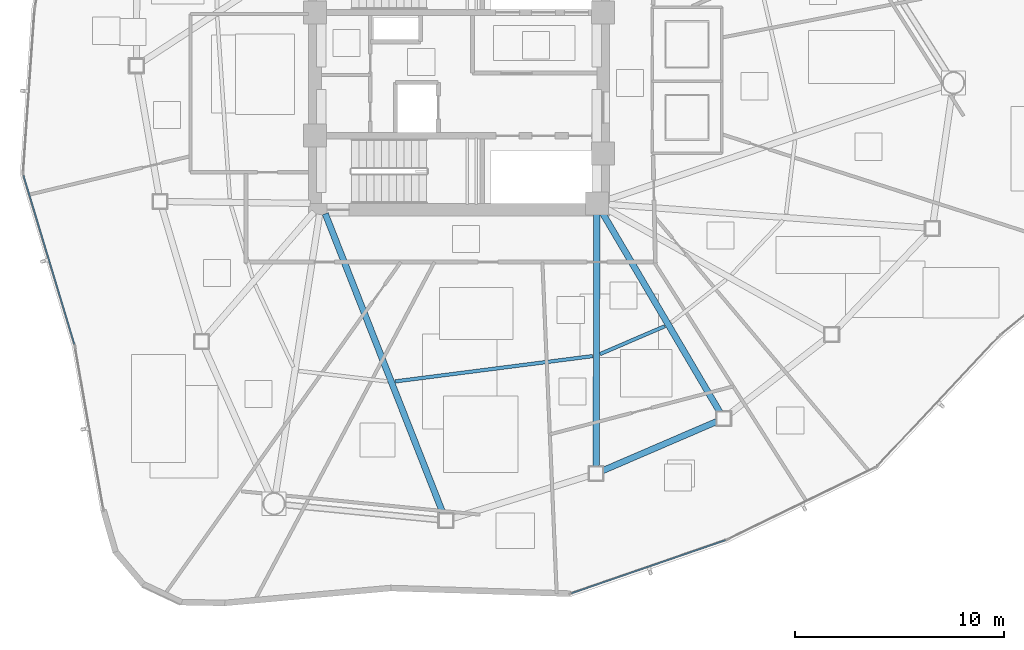
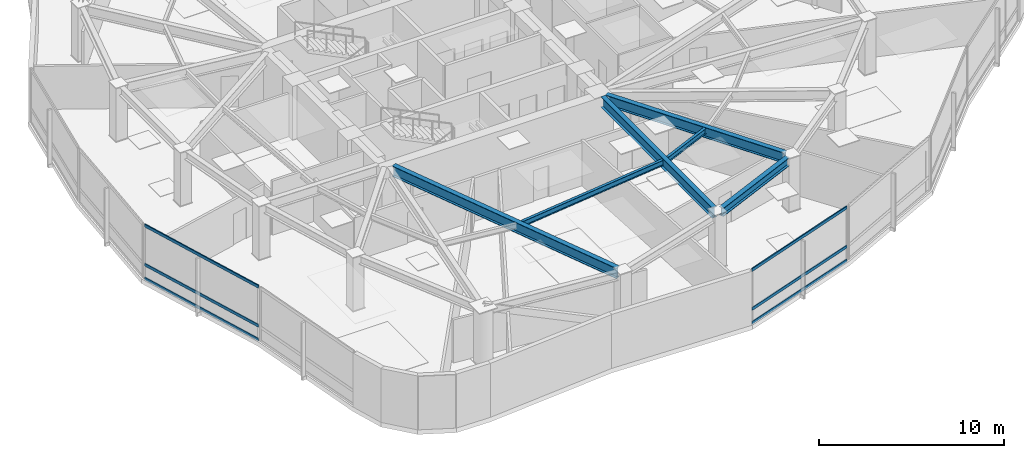
# One storey, part 3 of 17: 6 beams, 6 members, 2 elements without a shape of their own.
"""IFC4 building model written with IfcOpenShell, lengths in metres."""

from ifc_helpers import new_model, si_unit, direction, frame, origin, origin_2d, place, context, subcontext, project, spatial, hollow_rectangle, i_section, extrude, source, transform, mapped, material, layer, layer_set, material_profile, profile_set, type_object, type_shapes, element, aggregate, save


model = new_model("IFC4")

# Units and contexts
model_context = context("Model", 3, precision=1e-05, world=origin(), true_north=direction((0.0, 1.0)))
body_context = subcontext(model_context, "Body", "Model", "MODEL_VIEW")
ifc_project = project(units=[si_unit("LENGTHUNIT", "METRE"), si_unit("AREAUNIT", "SQUARE_METRE"), si_unit("VOLUMEUNIT", "CUBIC_METRE"), si_unit("PLANEANGLEUNIT", "RADIAN"), si_unit("MASSUNIT", "GRAM", prefix="KILO")], contexts=[model_context])

# Site, building, storey
site_placement = place(None, origin())
site = spatial("IfcSite", under=ifc_project, at=site_placement, CompositionType="ELEMENT")
building_placement = place(site_placement, origin())
building = spatial("IfcBuilding", under=site, at=building_placement, Name="Tavelor Broadcast Tower", CompositionType="ELEMENT")
storey_placement = place(building_placement, frame((0.0, 0.0, 127.14990234375)))
storey = spatial("IfcBuildingStorey", under=building, at=storey_placement, Name="L29", CompositionType="ELEMENT", Elevation=127.14990234375)

# Beams
ifc_material_1 = material(Name="Steel S355", Category="steel")
ifc_material_profile_1 = material_profile(ifc_material_1, i_section(OverallWidth=0.169921875, OverallDepth=0.360107421875, WebThickness=0.008056640625, FlangeThickness=0.0126953125, at=origin_2d()), Name="IPE 360")
ifc_profile_set_1 = profile_set([ifc_material_profile_1], Name="Steel S355")
beam_type_1 = type_object("IfcBeamType", Name="Composite Floor Joist T3 IPE 360", PredefinedType="JOIST", material=ifc_profile_set_1)
beam_1_placement = place(storey_placement, frame((46.93701171875, 30.280517578125, 3.3701171875), z_axis=(0.991879926303, 0.12717787464, 0.0), x_axis=(-0.12717787464, 0.991879926303, 0.0)))
element("IfcBeam", 1, at=beam_1_placement, inside=storey, type_object=beam_type_1, Name="L29 Secondary Composite Floor Joist 08", PredefinedType="JOIST", context=body_context, shape_type="SweptSolid", body=[
    extrude(i_section(OverallWidth=0.169921875, OverallDepth=0.360107421875, WebThickness=0.008056640625, FlangeThickness=0.0126953125, at=origin_2d()), origin(), (0.0, 0.0, 1.0), 9.538818359375),
])
beam_2_placement = place(storey_placement, frame((56.744384765625, 31.588134765625, 3.3701171875), z_axis=(0.918816463589, 0.394685072225, 0.0), x_axis=(-0.394685072225, 0.918816463589, 0.0)))
element("IfcBeam", 2, at=beam_2_placement, inside=storey, type_object=beam_type_1, Name="L29 Secondary Composite Floor Joist 09", PredefinedType="JOIST", context=body_context, shape_type="SweptSolid", body=[
    extrude(i_section(OverallWidth=0.169921875, OverallDepth=0.360107421875, WebThickness=0.008056640625, FlangeThickness=0.0126953125, at=origin_2d()), origin(), (0.0, 0.0, 1.0), 3.385498046875),
])
ifc_material_profile_2 = material_profile(ifc_material_1, i_section(OverallWidth=0.300048828125, OverallDepth=0.550048828125, WebThickness=0.014892578125, FlangeThickness=0.029052734375, at=origin_2d()), Name="HEB 550")
ifc_profile_set_2 = profile_set([ifc_material_profile_2], Name="Steel S355")
beam_type_2 = type_object("IfcBeamType", Name="Perimeter Spandrel Beam T3 HEB 550", PredefinedType="SPANDREL", material=ifc_profile_set_2)
beam_3_placement = place(storey_placement, frame((56.86962890625, 26.005615234375, 3.275146484375), z_axis=(0.918448679011, 0.395540167396, 0.0), x_axis=(-0.395540167396, 0.918448679011, 0.0)))
element("IfcBeam", 3, at=beam_3_placement, inside=storey, type_object=beam_type_2, Name="L29 Framed-Tube Ring Spandrel 09", PredefinedType="SPANDREL", context=body_context, shape_type="SweptSolid", body=[
    extrude(i_section(OverallWidth=0.300048828125, OverallDepth=0.550048828125, WebThickness=0.014892578125, FlangeThickness=0.029052734375, at=origin_2d()), origin(), (0.0, 0.0, 1.0), 5.978515625),
])
ifc_material_profile_3 = material_profile(ifc_material_1, i_section(OverallWidth=0.300048828125, OverallDepth=0.68994140625, WebThickness=0.014404296875, FlangeThickness=0.027099609375, at=origin_2d()), Name="HEA 700")
ifc_profile_set_3 = profile_set([ifc_material_profile_3], Name="Steel S355")
beam_type_3 = type_object("IfcBeamType", Name="Radial Floor Girder T3 HEA 700", PredefinedType="BEAM", material=ifc_profile_set_3)
beam_4_placement = place(storey_placement, frame((43.593017578125, 38.30859375, 3.205078125), z_axis=(0.365795149989, -0.930695389612, 0.0), x_axis=(0.930695389612, 0.365795149989, 0.0)))
element("IfcBeam", 4, at=beam_4_placement, inside=storey, type_object=beam_type_3, Name="L29 Radial Primary Floor Girder 08", PredefinedType="BEAM", context=body_context, shape_type="SweptSolid", body=[
    extrude(i_section(OverallWidth=0.300048828125, OverallDepth=0.68994140625, WebThickness=0.014404296875, FlangeThickness=0.027099609375, at=origin_2d()), origin(), (0.0, 0.0, 1.0), 15.447509765625),
])
beam_5_placement = place(storey_placement, frame((56.598388671875, 38.27197265625, 3.205078125), z_axis=(-0.003015509149, -0.999995453342, 0.0), x_axis=(0.999995453342, -0.003015509149, 0.0)))
element("IfcBeam", 5, at=beam_5_placement, inside=storey, type_object=beam_type_3, Name="L29 Radial Primary Floor Girder 09", PredefinedType="BEAM", context=body_context, shape_type="SweptSolid", body=[
    extrude(i_section(OverallWidth=0.300048828125, OverallDepth=0.68994140625, WebThickness=0.014404296875, FlangeThickness=0.027099609375, at=origin_2d()), origin(), (0.0, 0.0, 1.0), 12.063232421875),
])
beam_6_placement = place(storey_placement, frame((56.8681640625, 38.34521484375, 3.205078125), z_axis=(0.507774310592, -0.861490133143, 0.0), x_axis=(0.861490133143, 0.507774310592, 0.0)))
element("IfcBeam", 6, at=beam_6_placement, inside=storey, type_object=beam_type_3, Name="L29 Radial Primary Floor Girder 10", PredefinedType="BEAM", context=body_context, shape_type="SweptSolid", body=[
    extrude(i_section(OverallWidth=0.300048828125, OverallDepth=0.68994140625, WebThickness=0.014404296875, FlangeThickness=0.027099609375, at=origin_2d()), origin(), (0.0, 0.0, 1.0), 11.08837890625),
])

# Curtain wall, members
ifc_material_2 = material(Name="Architectural Anodized Aluminium", Category="aluminium")
ifc_layer = layer(ifc_material_2, 0.18994140625)
ifc_layer_set = layer_set([ifc_layer], Name="Architectural Anodized Aluminium")
curtain_wall_type = type_object("IfcCurtainWallType", Name="Tower Mid-Zone Acoustic Curtain Wall CW03", PredefinedType="NOTDEFINED", material=ifc_layer_set)
curtain_wall_1_placement = place(storey_placement, origin())
curtain_wall_1 = element("IfcCurtainWall", 7, at=curtain_wall_1_placement, inside=storey, type_object=curtain_wall_type, Name="L29 Curtain Wall CW03 Run 291", PredefinedType="NOTDEFINED")
ifc_material_profile_4 = material_profile(ifc_material_2, hollow_rectangle(XDim=0.068115234375, YDim=0.18994140625, WallThickness=0.02197265625, at=origin_2d()), Name="RHS 68x190x22")
ifc_profile_set_4 = profile_set([ifc_material_profile_4], Name="Architectural Anodized Aluminium")
member_type = type_object("IfcMemberType", Name="CW03 Extruded Aluminium Transom 68x190", PredefinedType="USERDEFINED", material=ifc_profile_set_4)
shared_shape_1 = source(origin(), body_context, "Body", "SweptSolid", [
    extrude(hollow_rectangle(XDim=0.068115234375, YDim=0.18994140625, WallThickness=0.02197265625, at=origin_2d()), origin(), (0.0, 0.0, 1.0), 8.43505859375),
])
member_1_placement = place(storey_placement, frame((29.140869140625, 40.13720703125, 0.0341796875), z_axis=(0.288884972327, -0.957363814213, 0.0), x_axis=(0.957363814213, 0.288884972327, 0.0)))
member_1 = element("IfcMember", 8, at=member_1_placement, type_object=member_type, Name="CW03 transom 1.1", ObjectType="TRANSOM", PredefinedType="USERDEFINED", context=body_context, shape_type="MappedRepresentation", body=[
    mapped(shared_shape_1, transform((0.0, 0.0, 0.0), scale=1.0)),
])
member_2_placement = place(storey_placement, frame((29.140869140625, 40.13720703125, 0.9501953125), z_axis=(0.288884972327, -0.957363814213, 0.0), x_axis=(0.957363814213, 0.288884972327, 0.0)))
member_2 = element("IfcMember", 9, at=member_2_placement, type_object=member_type, Name="CW03 transom 1.2", ObjectType="TRANSOM", PredefinedType="USERDEFINED", context=body_context, shape_type="MappedRepresentation", body=[
    mapped(shared_shape_1, transform((0.0, 0.0, 0.0), scale=1.0)),
])
member_3_placement = place(storey_placement, frame((29.140869140625, 40.13720703125, 3.51611328125), z_axis=(0.288884972327, -0.957363814213, 0.0), x_axis=(0.957363814213, 0.288884972327, 0.0)))
member_3 = element("IfcMember", 10, at=member_3_placement, type_object=member_type, Name="CW03 transom 1.3", ObjectType="TRANSOM", PredefinedType="USERDEFINED", context=body_context, shape_type="MappedRepresentation", body=[
    mapped(shared_shape_1, transform((0.0, 0.0, 0.0), scale=1.0)),
])
aggregate(curtain_wall_1, [member_1, member_2, member_3])

curtain_wall_2_placement = place(storey_placement, origin())
curtain_wall_2 = element("IfcCurtainWall", 11, at=curtain_wall_2_placement, inside=storey, type_object=curtain_wall_type, Name="L29 Curtain Wall CW03 Run 293", PredefinedType="NOTDEFINED")
shared_shape_2 = source(origin(), body_context, "Body", "SweptSolid", [
    extrude(hollow_rectangle(XDim=0.068115234375, YDim=0.18994140625, WallThickness=0.02197265625, at=origin_2d()), origin(), (0.0, 0.0, 1.0), 7.802001953125),
])
type_shapes(member_type, [shared_shape_1, shared_shape_2])
member_4_placement = place(storey_placement, frame((55.38037109375, 20.13525390625, 0.0341796875), z_axis=(0.945378634757, 0.325974288778, 0.0), x_axis=(-0.325974288778, 0.945378634757, 0.0)))
member_4 = element("IfcMember", 12, at=member_4_placement, type_object=member_type, Name="CW03 transom 1.1", ObjectType="TRANSOM", PredefinedType="USERDEFINED", context=body_context, shape_type="MappedRepresentation", body=[
    mapped(shared_shape_2, transform((0.0, 0.0, 0.0), scale=1.0)),
])
member_5_placement = place(storey_placement, frame((55.38037109375, 20.13525390625, 0.9501953125), z_axis=(0.945378634757, 0.325974288778, 0.0), x_axis=(-0.325974288778, 0.945378634757, 0.0)))
member_5 = element("IfcMember", 13, at=member_5_placement, type_object=member_type, Name="CW03 transom 1.2", ObjectType="TRANSOM", PredefinedType="USERDEFINED", context=body_context, shape_type="MappedRepresentation", body=[
    mapped(shared_shape_2, transform((0.0, 0.0, 0.0), scale=1.0)),
])
member_6_placement = place(storey_placement, frame((55.38037109375, 20.13525390625, 3.51611328125), z_axis=(0.945378634757, 0.325974288778, 0.0), x_axis=(-0.325974288778, 0.945378634757, 0.0)))
member_6 = element("IfcMember", 14, at=member_6_placement, type_object=member_type, Name="CW03 transom 1.3", ObjectType="TRANSOM", PredefinedType="USERDEFINED", context=body_context, shape_type="MappedRepresentation", body=[
    mapped(shared_shape_2, transform((0.0, 0.0, 0.0), scale=1.0)),
])
aggregate(curtain_wall_2, [member_4, member_5, member_6])

save(model, "model.ifc")
